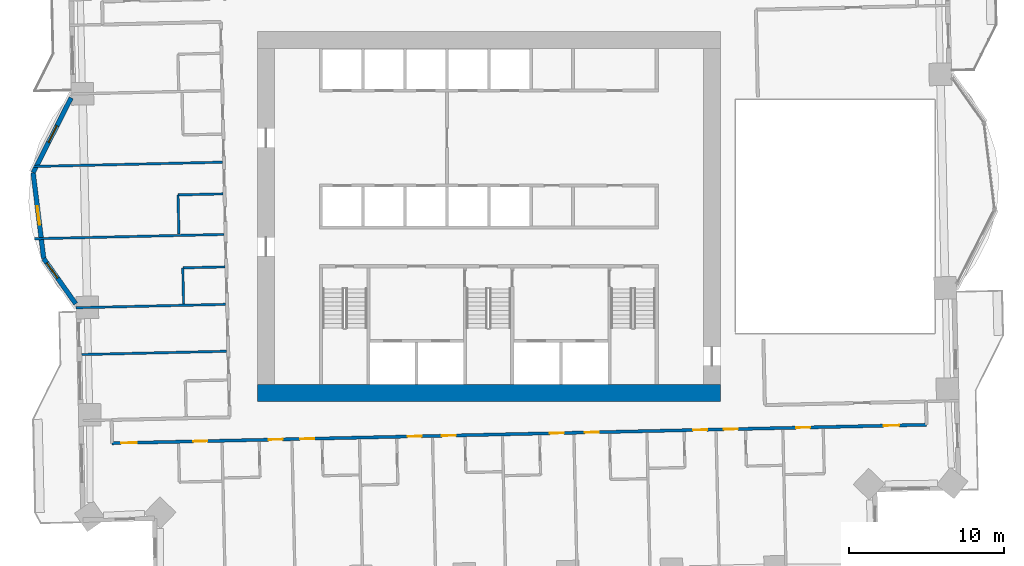
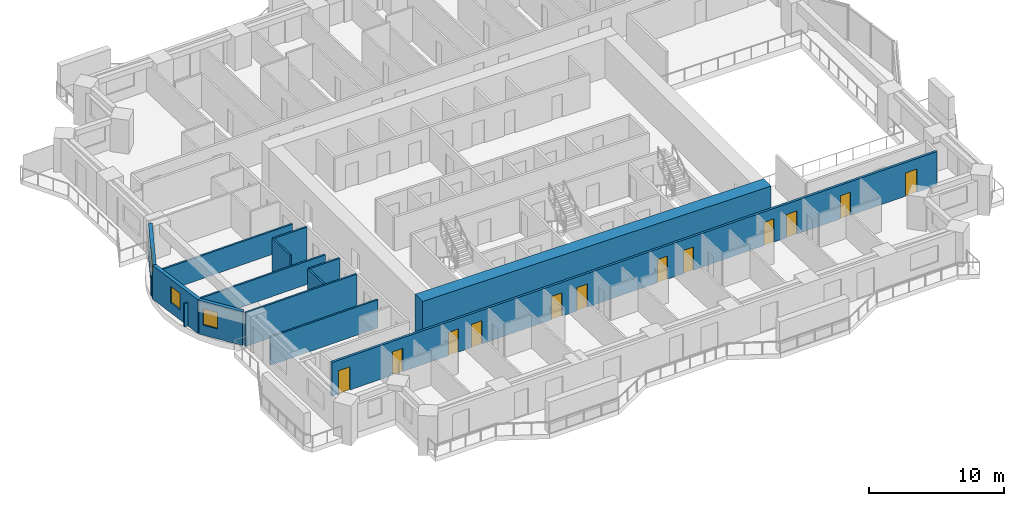
# One storey, part 7 of 17: 13 walls, 12 doors, 3 windows, 15 openings.
"""IFC4 building model written with IfcOpenShell, lengths in metres."""

from ifc_helpers import new_model, si_unit, direction, frame, frame_2d, origin, place, context, subcontext, project, spatial, rectangle, extrude, material, layer, layer_set, type_object, element, fill, save


model = new_model("IFC4")

# Units and contexts
model_context = context("Model", 3, precision=1e-05, world=origin(), true_north=direction((0.0, 1.0)))
body_context = subcontext(model_context, "Body", "Model", "MODEL_VIEW")
ifc_project = project(units=[si_unit("LENGTHUNIT", "METRE"), si_unit("AREAUNIT", "SQUARE_METRE"), si_unit("VOLUMEUNIT", "CUBIC_METRE"), si_unit("PLANEANGLEUNIT", "RADIAN"), si_unit("MASSUNIT", "GRAM", prefix="KILO")], contexts=[model_context])

# Site, building, storey
site_placement = place(None, origin())
site = spatial("IfcSite", under=ifc_project, at=site_placement, CompositionType="ELEMENT")
building_placement = place(site_placement, origin())
building = spatial("IfcBuilding", under=site, at=building_placement, Name="Mangrove Gate Tower", CompositionType="ELEMENT")
storey_placement = place(building_placement, frame((0.0, 0.0, 82.89990234375)))
storey = spatial("IfcBuildingStorey", under=building, at=storey_placement, Name="L20", CompositionType="ELEMENT", Elevation=82.89990234375)

# Wall
ifc_material_1 = material(Name="Concrete C70/85", Category="concrete")
ifc_layer_1 = layer(ifc_material_1, 1.10009765625)
ifc_layer_set_1 = layer_set([ifc_layer_1], Name="Core wall 1100 C70/85")
wall_type_1 = type_object("IfcWallType", Name="Core wall 1100 C70/85", PredefinedType="SHEAR", material=ifc_layer_set_1)
wall_1_placement = place(storey_placement, frame((-14.89990234375, -11.35009765625, 0.0), z_axis=(0.0, 0.0, 1.0), x_axis=(1.0, 0.0, 0.0)))
element("IfcWall", 1, at=wall_1_placement, inside=storey, type_object=wall_type_1, Name="WALL-L20-CORE-1", PredefinedType="SHEAR", context=body_context, shape_type="SweptSolid", body=[
    extrude(rectangle(XDim=29.7998046875, YDim=1.10009765625, at=frame_2d((14.89990234375, 0.0))), origin(), (0.0, 0.0, 1.0), 3.60009765625),
])

# Wall, openings, doors
ifc_material_2 = material(Name="Gypsum board on steel stud, EI 60", Category="steel")
ifc_layer_2 = layer(ifc_material_2, 0.199951171875)
ifc_layer_set_2 = layer_set([ifc_layer_2], Name="Corridor wall EI 60")
wall_type_2 = type_object("IfcWallType", Name="Corridor wall EI 60", PredefinedType="PARTITIONING", material=ifc_layer_set_2)
wall_2_placement = place(storey_placement, frame((-24.2490234375, -14.591064453125, 0.0), z_axis=(0.0, 0.0, 1.0), x_axis=(0.999742227308, 0.022704161211, 0.0)))
wall_2 = element("IfcWall", 2, at=wall_2_placement, inside=storey, type_object=wall_type_2, Name="WALL-L20-030", PredefinedType="PARTITIONING", context=body_context, shape_type="SweptSolid", body=[
    extrude(rectangle(XDim=52.42138671875, YDim=0.199951171875, at=frame_2d((26.210693359375, 0.0))), origin(), (0.0, 0.0, 1.0), 3.050048828125),
])
opening_1_placement = place(wall_2_placement, frame((0.574951171875, 0.0, 0.0)))
opening_1 = element("IfcOpeningElement", 3, at=opening_1_placement, cuts=wall_2, Name="Opening AD", PredefinedType="OPENING", context=body_context, shape_type="SweptSolid", body=[
    extrude(rectangle(XDim=1.0, YDim=2.10009765625, at=frame_2d((0.5, 1.050048828125))), frame((0.0, 0.10986328125, 0.0), z_axis=(0.0, -1.0, 0.0), x_axis=(1.0, 0.0, 0.0)), (0.0, 0.0, 1.0), 0.219970703125),
])
opening_2_placement = place(wall_2_placement, frame((5.22509765625, 0.0, 0.0)))
opening_2 = element("IfcOpeningElement", 4, at=opening_2_placement, cuts=wall_2, Name="Opening SD", PredefinedType="OPENING", context=body_context, shape_type="SweptSolid", body=[
    extrude(rectangle(XDim=0.89990234375, YDim=2.10009765625, at=frame_2d((0.449951171875, 1.050048828125))), frame((0.0, 0.10986328125, 0.0), z_axis=(0.0, -1.0, 0.0), x_axis=(1.0, 0.0, 0.0)), (0.0, 0.0, 1.0), 0.219970703125),
])
opening_3_placement = place(wall_2_placement, frame((10.074951171875, 0.0, 0.0)))
opening_3 = element("IfcOpeningElement", 5, at=opening_3_placement, cuts=wall_2, Name="Opening BD", PredefinedType="OPENING", context=body_context, shape_type="SweptSolid", body=[
    extrude(rectangle(XDim=0.89990234375, YDim=2.10009765625, at=frame_2d((0.449951171875, 1.050048828125))), frame((0.0, 0.10986328125, 0.0), z_axis=(0.0, -1.0, 0.0), x_axis=(1.0, 0.0, 0.0)), (0.0, 0.0, 1.0), 0.219970703125),
])
opening_4_placement = place(wall_2_placement, frame((12.10009765625, 0.0, 0.0)))
opening_4 = element("IfcOpeningElement", 6, at=opening_4_placement, cuts=wall_2, Name="Opening BD", PredefinedType="OPENING", context=body_context, shape_type="SweptSolid", body=[
    extrude(rectangle(XDim=0.89990234375, YDim=2.10009765625, at=frame_2d((0.449951171875, 1.050048828125))), frame((0.0, 0.10986328125, 0.0), z_axis=(0.0, -1.0, 0.0), x_axis=(1.0, 0.0, 0.0)), (0.0, 0.0, 1.0), 0.219970703125),
])
opening_5_placement = place(wall_2_placement, frame((19.02490234375, 0.0, 0.0)))
opening_5 = element("IfcOpeningElement", 7, at=opening_5_placement, cuts=wall_2, Name="Opening BD", PredefinedType="OPENING", context=body_context, shape_type="SweptSolid", body=[
    extrude(rectangle(XDim=0.89990234375, YDim=2.10009765625, at=frame_2d((0.449951171875, 1.050048828125))), frame((0.0, 0.10986328125, 0.0), z_axis=(0.0, -1.0, 0.0), x_axis=(1.0, 0.0, 0.0)), (0.0, 0.0, 1.0), 0.219970703125),
])
opening_6_placement = place(wall_2_placement, frame((21.22509765625, 0.0, 0.0)))
opening_6 = element("IfcOpeningElement", 8, at=opening_6_placement, cuts=wall_2, Name="Opening BD", PredefinedType="OPENING", context=body_context, shape_type="SweptSolid", body=[
    extrude(rectangle(XDim=0.89990234375, YDim=2.10009765625, at=frame_2d((0.449951171875, 1.050048828125))), frame((0.0, 0.10986328125, 0.0), z_axis=(0.0, -1.0, 0.0), x_axis=(1.0, 0.0, 0.0)), (0.0, 0.0, 1.0), 0.219970703125),
])
opening_7_placement = place(wall_2_placement, frame((28.175048828125, 0.0, 0.0)))
opening_7 = element("IfcOpeningElement", 9, at=opening_7_placement, cuts=wall_2, Name="Opening BD", PredefinedType="OPENING", context=body_context, shape_type="SweptSolid", body=[
    extrude(rectangle(XDim=0.89990234375, YDim=2.10009765625, at=frame_2d((0.449951171875, 1.050048828125))), frame((0.0, 0.10986328125, 0.0), z_axis=(0.0, -1.0, 0.0), x_axis=(1.0, 0.0, 0.0)), (0.0, 0.0, 1.0), 0.219970703125),
])
opening_8_placement = place(wall_2_placement, frame((30.425048828125, 0.0, 0.0)))
opening_8 = element("IfcOpeningElement", 10, at=opening_8_placement, cuts=wall_2, Name="Opening BD", PredefinedType="OPENING", context=body_context, shape_type="SweptSolid", body=[
    extrude(rectangle(XDim=0.89990234375, YDim=2.10009765625, at=frame_2d((0.449951171875, 1.050048828125))), frame((0.0, 0.10986328125, 0.0), z_axis=(0.0, -1.0, 0.0), x_axis=(1.0, 0.0, 0.0)), (0.0, 0.0, 1.0), 0.219970703125),
])
opening_9_placement = place(wall_2_placement, frame((37.39990234375, 0.0, 0.0)))
opening_9 = element("IfcOpeningElement", 11, at=opening_9_placement, cuts=wall_2, Name="Opening BD", PredefinedType="OPENING", context=body_context, shape_type="SweptSolid", body=[
    extrude(rectangle(XDim=0.89990234375, YDim=2.10009765625, at=frame_2d((0.449951171875, 1.050048828125))), frame((0.0, 0.10986328125, 0.0), z_axis=(0.0, -1.0, 0.0), x_axis=(1.0, 0.0, 0.0)), (0.0, 0.0, 1.0), 0.219970703125),
])
opening_10_placement = place(wall_2_placement, frame((39.375, 0.0, 0.0)))
opening_10 = element("IfcOpeningElement", 12, at=opening_10_placement, cuts=wall_2, Name="Opening BD", PredefinedType="OPENING", context=body_context, shape_type="SweptSolid", body=[
    extrude(rectangle(XDim=0.89990234375, YDim=2.10009765625, at=frame_2d((0.449951171875, 1.050048828125))), frame((0.0, 0.10986328125, 0.0), z_axis=(0.0, -1.0, 0.0), x_axis=(1.0, 0.0, 0.0)), (0.0, 0.0, 1.0), 0.219970703125),
])
opening_11_placement = place(wall_2_placement, frame((49.660888671875, 0.0, 0.0)))
opening_11 = element("IfcOpeningElement", 13, at=opening_11_placement, cuts=wall_2, Name="Opening AD", PredefinedType="OPENING", context=body_context, shape_type="SweptSolid", body=[
    extrude(rectangle(XDim=1.0, YDim=2.10009765625, at=frame_2d((0.5, 1.050048828125))), frame((0.0, 0.10986328125, 0.0), z_axis=(0.0, -1.0, 0.0), x_axis=(1.0, 0.0, 0.0)), (0.0, 0.0, 1.0), 0.219970703125),
])
opening_12_placement = place(wall_2_placement, frame((44.02490234375, 0.0, 0.0)))
opening_12 = element("IfcOpeningElement", 14, at=opening_12_placement, cuts=wall_2, Name="Opening SD", PredefinedType="OPENING", context=body_context, shape_type="SweptSolid", body=[
    extrude(rectangle(XDim=0.89990234375, YDim=2.10009765625, at=frame_2d((0.449951171875, 1.050048828125))), frame((0.0, 0.10986328125, 0.0), z_axis=(0.0, -1.0, 0.0), x_axis=(1.0, 0.0, 0.0)), (0.0, 0.0, 1.0), 0.219970703125),
])
ifc_material_3 = material(Name="Timber door leaf", Category="wood")
door_type_1 = type_object("IfcDoorType", Name="Amenity door 1000", OperationType="SINGLE_SWING_LEFT", PredefinedType="DOOR", material=ifc_material_3)
door_1_placement = place(opening_1_placement, origin())
door_1 = element("IfcDoor", 15, at=door_1_placement, inside=storey, type_object=door_type_1, Name="DOOR-L20-STU-c1a", OperationType="SINGLE_SWING_LEFT", OverallHeight=2.10009765625, OverallWidth=1.0, PredefinedType="DOOR", context=body_context, shape_type="SweptSolid", body=[
    extrude(rectangle(XDim=1.0, YDim=2.10009765625, at=frame_2d((0.5, 1.050048828125))), frame((0.0, 0.02490234375, 0.0), z_axis=(0.0, -1.0, 0.0), x_axis=(1.0, 0.0, 0.0)), (0.0, 0.0, 1.0), 0.050048828125),
])
fill(opening_1, door_1)
door_2_placement = place(opening_11_placement, origin())
door_2 = element("IfcDoor", 16, at=door_2_placement, inside=storey, type_object=door_type_1, Name="DOOR-L20-GAM-c3a", OperationType="SINGLE_SWING_RIGHT", OverallHeight=2.10009765625, OverallWidth=1.0, PredefinedType="DOOR", context=body_context, shape_type="SweptSolid", body=[
    extrude(rectangle(XDim=1.0, YDim=2.10009765625, at=frame_2d((0.5, 1.050048828125))), frame((0.0, 0.02490234375, 0.0), z_axis=(0.0, -1.0, 0.0), x_axis=(1.0, 0.0, 0.0)), (0.0, 0.0, 1.0), 0.050048828125),
])
fill(opening_11, door_2)
ifc_material_4 = material(Name="Timber door leaf", Category="wood")
door_type_2 = type_object("IfcDoorType", Name="Bedroom door 900", OperationType="SINGLE_SWING_LEFT", PredefinedType="DOOR", material=ifc_material_4)
door_3_placement = place(opening_3_placement, origin())
door_3 = element("IfcDoor", 17, at=door_3_placement, inside=storey, type_object=door_type_2, Name="DOOR-L20-BED-c101", OperationType="SINGLE_SWING_LEFT", OverallHeight=2.10009765625, OverallWidth=0.89990234375, PredefinedType="DOOR", context=body_context, shape_type="SweptSolid", body=[
    extrude(rectangle(XDim=0.89990234375, YDim=2.10009765625, at=frame_2d((0.449951171875, 1.050048828125))), frame((0.0, 0.02490234375, 0.0), z_axis=(0.0, -1.0, 0.0), x_axis=(1.0, 0.0, 0.0)), (0.0, 0.0, 1.0), 0.050048828125),
])
fill(opening_3, door_3)
door_4_placement = place(opening_4_placement, origin())
door_4 = element("IfcDoor", 18, at=door_4_placement, inside=storey, type_object=door_type_2, Name="DOOR-L20-BED-c102", OperationType="SINGLE_SWING_RIGHT", OverallHeight=2.10009765625, OverallWidth=0.89990234375, PredefinedType="DOOR", context=body_context, shape_type="SweptSolid", body=[
    extrude(rectangle(XDim=0.89990234375, YDim=2.10009765625, at=frame_2d((0.449951171875, 1.050048828125))), frame((0.0, 0.02490234375, 0.0), z_axis=(0.0, -1.0, 0.0), x_axis=(1.0, 0.0, 0.0)), (0.0, 0.0, 1.0), 0.050048828125),
])
fill(opening_4, door_4)
door_5_placement = place(opening_5_placement, origin())
door_5 = element("IfcDoor", 19, at=door_5_placement, inside=storey, type_object=door_type_2, Name="DOOR-L20-BED-c103", OperationType="SINGLE_SWING_LEFT", OverallHeight=2.10009765625, OverallWidth=0.89990234375, PredefinedType="DOOR", context=body_context, shape_type="SweptSolid", body=[
    extrude(rectangle(XDim=0.89990234375, YDim=2.10009765625, at=frame_2d((0.449951171875, 1.050048828125))), frame((0.0, 0.02490234375, 0.0), z_axis=(0.0, -1.0, 0.0), x_axis=(1.0, 0.0, 0.0)), (0.0, 0.0, 1.0), 0.050048828125),
])
fill(opening_5, door_5)
door_6_placement = place(opening_6_placement, origin())
door_6 = element("IfcDoor", 20, at=door_6_placement, inside=storey, type_object=door_type_2, Name="DOOR-L20-BED-c104", OperationType="SINGLE_SWING_RIGHT", OverallHeight=2.10009765625, OverallWidth=0.89990234375, PredefinedType="DOOR", context=body_context, shape_type="SweptSolid", body=[
    extrude(rectangle(XDim=0.89990234375, YDim=2.10009765625, at=frame_2d((0.449951171875, 1.050048828125))), frame((0.0, 0.02490234375, 0.0), z_axis=(0.0, -1.0, 0.0), x_axis=(1.0, 0.0, 0.0)), (0.0, 0.0, 1.0), 0.050048828125),
])
fill(opening_6, door_6)
door_7_placement = place(opening_7_placement, origin())
door_7 = element("IfcDoor", 21, at=door_7_placement, inside=storey, type_object=door_type_2, Name="DOOR-L20-BED-c205", OperationType="SINGLE_SWING_LEFT", OverallHeight=2.10009765625, OverallWidth=0.89990234375, PredefinedType="DOOR", context=body_context, shape_type="SweptSolid", body=[
    extrude(rectangle(XDim=0.89990234375, YDim=2.10009765625, at=frame_2d((0.449951171875, 1.050048828125))), frame((0.0, 0.02490234375, 0.0), z_axis=(0.0, -1.0, 0.0), x_axis=(1.0, 0.0, 0.0)), (0.0, 0.0, 1.0), 0.050048828125),
])
fill(opening_7, door_7)
door_8_placement = place(opening_8_placement, origin())
door_8 = element("IfcDoor", 22, at=door_8_placement, inside=storey, type_object=door_type_2, Name="DOOR-L20-BED-c206", OperationType="SINGLE_SWING_RIGHT", OverallHeight=2.10009765625, OverallWidth=0.89990234375, PredefinedType="DOOR", context=body_context, shape_type="SweptSolid", body=[
    extrude(rectangle(XDim=0.89990234375, YDim=2.10009765625, at=frame_2d((0.449951171875, 1.050048828125))), frame((0.0, 0.02490234375, 0.0), z_axis=(0.0, -1.0, 0.0), x_axis=(1.0, 0.0, 0.0)), (0.0, 0.0, 1.0), 0.050048828125),
])
fill(opening_8, door_8)
door_9_placement = place(opening_9_placement, origin())
door_9 = element("IfcDoor", 23, at=door_9_placement, inside=storey, type_object=door_type_2, Name="DOOR-L20-BED-c207", OperationType="SINGLE_SWING_LEFT", OverallHeight=2.10009765625, OverallWidth=0.89990234375, PredefinedType="DOOR", context=body_context, shape_type="SweptSolid", body=[
    extrude(rectangle(XDim=0.89990234375, YDim=2.10009765625, at=frame_2d((0.449951171875, 1.050048828125))), frame((0.0, 0.02490234375, 0.0), z_axis=(0.0, -1.0, 0.0), x_axis=(1.0, 0.0, 0.0)), (0.0, 0.0, 1.0), 0.050048828125),
])
fill(opening_9, door_9)
door_10_placement = place(opening_10_placement, origin())
door_10 = element("IfcDoor", 24, at=door_10_placement, inside=storey, type_object=door_type_2, Name="DOOR-L20-BED-c308", OperationType="SINGLE_SWING_RIGHT", OverallHeight=2.10009765625, OverallWidth=0.89990234375, PredefinedType="DOOR", context=body_context, shape_type="SweptSolid", body=[
    extrude(rectangle(XDim=0.89990234375, YDim=2.10009765625, at=frame_2d((0.449951171875, 1.050048828125))), frame((0.0, 0.02490234375, 0.0), z_axis=(0.0, -1.0, 0.0), x_axis=(1.0, 0.0, 0.0)), (0.0, 0.0, 1.0), 0.050048828125),
])
fill(opening_10, door_10)
ifc_material_5 = material(Name="Timber door leaf", Category="wood")
door_type_3 = type_object("IfcDoorType", Name="Service room door 900", OperationType="SINGLE_SWING_LEFT", PredefinedType="DOOR", material=ifc_material_5)
door_11_placement = place(opening_2_placement, origin())
door_11 = element("IfcDoor", 25, at=door_11_placement, inside=storey, type_object=door_type_3, Name="DOOR-L20-LDY-c1a", OperationType="SINGLE_SWING_LEFT", OverallHeight=2.10009765625, OverallWidth=0.89990234375, PredefinedType="DOOR", context=body_context, shape_type="SweptSolid", body=[
    extrude(rectangle(XDim=0.89990234375, YDim=2.10009765625, at=frame_2d((0.449951171875, 1.050048828125))), frame((0.0, 0.02490234375, 0.0), z_axis=(0.0, -1.0, 0.0), x_axis=(1.0, 0.0, 0.0)), (0.0, 0.0, 1.0), 0.050048828125),
])
fill(opening_2, door_11)
door_12_placement = place(opening_12_placement, origin())
door_12 = element("IfcDoor", 26, at=door_12_placement, inside=storey, type_object=door_type_3, Name="DOOR-L20-AWC-c3a", OperationType="SINGLE_SWING_RIGHT", OverallHeight=2.10009765625, OverallWidth=0.89990234375, PredefinedType="DOOR", context=body_context, shape_type="SweptSolid", body=[
    extrude(rectangle(XDim=0.89990234375, YDim=2.10009765625, at=frame_2d((0.449951171875, 1.050048828125))), frame((0.0, 0.02490234375, 0.0), z_axis=(0.0, -1.0, 0.0), x_axis=(1.0, 0.0, 0.0)), (0.0, 0.0, 1.0), 0.050048828125),
])
fill(opening_12, door_12)

# Wall, opening, window
ifc_material_6 = material(Name="Limestone", Category="masonry")
ifc_layer_3 = layer(ifc_material_6, 0.0400390625, Name="Limestone cladding")
ifc_material_7 = material(Name="Ventilated air gap")
ifc_layer_4 = layer(ifc_material_7, 0.0400390625, Name="Ventilated cavity")
ifc_material_8 = material(Name="Mineral wool insulation")
ifc_layer_5 = layer(ifc_material_8, 0.06005859375, Name="Insulation")
ifc_material_9 = material(Name="Breather membrane")
ifc_layer_6 = layer(ifc_material_9, 0.001953125, Name="Breather membrane")
ifc_material_10 = material(Name="Concrete C20/25 blockwork", Category="masonry")
ifc_layer_7 = layer(ifc_material_10, 0.14990234375, Name="Blockwork backing wall")
ifc_material_11 = material(Name="Gypsum plaster")
ifc_layer_8 = layer(ifc_material_11, 0.008056640625, Name="Internal plaster")
ifc_layer_set_3 = layer_set([ifc_layer_3, ifc_layer_4, ifc_layer_5, ifc_layer_6, ifc_layer_7, ifc_layer_8], Name="External wall 300 limestone cladding")
wall_type_3 = type_object("IfcWallType", Name="External wall 300 limestone cladding", PredefinedType="SOLIDWALL", material=ifc_layer_set_3)
wall_3_placement = place(storey_placement, frame((-26.888916015625, 7.635009765625, 0.0), z_axis=(0.0, 0.0, 1.0), x_axis=(-0.452633159278, -0.891696822425, 0.0)))
wall_3 = element("IfcWall", 27, at=wall_3_placement, inside=storey, type_object=wall_type_3, Name="WALL-L20-W9f1", PredefinedType="SOLIDWALL", context=body_context, shape_type="SweptSolid", body=[
    extrude(rectangle(XDim=5.3974609375, YDim=0.300048828125, at=frame_2d((2.69873046875, 0.0))), origin(), (0.0, 0.0, 1.0), 3.050048828125),
])
opening_13_placement = place(wall_3_placement, frame((2.007080078125, 0.0, 0.89990234375)))
opening_13 = element("IfcOpeningElement", 28, at=opening_13_placement, cuts=wall_3, Name="Opening W1", PredefinedType="OPENING", context=body_context, shape_type="SweptSolid", body=[
    extrude(rectangle(XDim=1.199951171875, YDim=1.5, at=frame_2d((0.60009765625, 0.75))), frame((0.0, 0.159912109375, 0.0), z_axis=(0.0, -1.0, 0.0), x_axis=(1.0, 0.0, 0.0)), (0.0, 0.0, 1.0), 0.320068359375),
])
ifc_material_12 = material(Name="Aluminium frame with double-glazed low-e glass", Category="aluminium")
window_type = type_object("IfcWindowType", Name="Side lite 1200x1500", PartitioningType="SINGLE_PANEL", PredefinedType="WINDOW", material=ifc_material_12)
window_1_placement = place(opening_13_placement, origin())
window_1 = element("IfcWindow", 29, at=window_1_placement, inside=storey, type_object=window_type, Name="WIN-L20-W9f1", OverallHeight=1.5, OverallWidth=1.199951171875, PartitioningType="SINGLE_PANEL", PredefinedType="WINDOW", context=body_context, shape_type="SweptSolid", body=[
    extrude(rectangle(XDim=1.199951171875, YDim=1.5, at=frame_2d((0.60009765625, 0.75))), frame((0.0, 0.030029296875, 0.0), z_axis=(0.0, -1.0, 0.0), x_axis=(1.0, 0.0, 0.0)), (0.0, 0.0, 1.0), 0.06005859375),
])
fill(opening_13, window_1)

wall_4_placement = place(storey_placement, frame((-29.33203125, 2.822021484375, 0.0), z_axis=(0.0, 0.0, 1.0), x_axis=(0.122206978992, -0.992504636909, 0.0)))
wall_4 = element("IfcWall", 30, at=wall_4_placement, inside=storey, type_object=wall_type_3, Name="WALL-L20-W9f2", PredefinedType="SOLIDWALL", context=body_context, shape_type="SweptSolid", body=[
    extrude(rectangle(XDim=5.57373046875, YDim=0.300048828125, at=frame_2d((2.786865234375, 0.0))), origin(), (0.0, 0.0, 1.0), 3.050048828125),
])
opening_14_placement = place(wall_4_placement, frame((2.18701171875, 0.0, 0.89990234375)))
opening_14 = element("IfcOpeningElement", 31, at=opening_14_placement, cuts=wall_4, Name="Opening W1", PredefinedType="OPENING", context=body_context, shape_type="SweptSolid", body=[
    extrude(rectangle(XDim=1.199951171875, YDim=1.5, at=frame_2d((0.60009765625, 0.75))), frame((0.0, 0.159912109375, 0.0), z_axis=(0.0, -1.0, 0.0), x_axis=(1.0, 0.0, 0.0)), (0.0, 0.0, 1.0), 0.320068359375),
])
window_2_placement = place(opening_14_placement, origin())
window_2 = element("IfcWindow", 32, at=window_2_placement, inside=storey, type_object=window_type, Name="WIN-L20-W9f2", OverallHeight=1.5, OverallWidth=1.199951171875, PartitioningType="SINGLE_PANEL", PredefinedType="WINDOW", context=body_context, shape_type="SweptSolid", body=[
    extrude(rectangle(XDim=1.199951171875, YDim=1.5, at=frame_2d((0.60009765625, 0.75))), frame((0.0, 0.030029296875, 0.0), z_axis=(0.0, -1.0, 0.0), x_axis=(1.0, 0.0, 0.0)), (0.0, 0.0, 1.0), 0.06005859375),
])
fill(opening_14, window_2)

wall_5_placement = place(storey_placement, frame((-28.65087890625, -2.7099609375, 0.0), z_axis=(0.0, 0.0, 1.0), x_axis=(0.577964171051, -0.816062140392, 0.0)))
wall_5 = element("IfcWall", 33, at=wall_5_placement, inside=storey, type_object=wall_type_3, Name="WALL-L20-W9f3", PredefinedType="SOLIDWALL", context=body_context, shape_type="SweptSolid", body=[
    extrude(rectangle(XDim=3.5673828125, YDim=0.300048828125, at=frame_2d((1.78369140625, 0.0))), origin(), (0.0, 0.0, 1.0), 3.050048828125),
])
opening_15_placement = place(wall_5_placement, frame((0.3369140625, 0.0, 0.89990234375)))
opening_15 = element("IfcOpeningElement", 34, at=opening_15_placement, cuts=wall_5, Name="Opening W1", PredefinedType="OPENING", context=body_context, shape_type="SweptSolid", body=[
    extrude(rectangle(XDim=1.199951171875, YDim=1.5, at=frame_2d((0.60009765625, 0.75))), frame((0.0, 0.159912109375, 0.0), z_axis=(0.0, -1.0, 0.0), x_axis=(1.0, 0.0, 0.0)), (0.0, 0.0, 1.0), 0.320068359375),
])
window_3_placement = place(opening_15_placement, origin())
window_3 = element("IfcWindow", 35, at=window_3_placement, inside=storey, type_object=window_type, Name="WIN-L20-W9f3", OverallHeight=1.5, OverallWidth=1.199951171875, PartitioningType="SINGLE_PANEL", PredefinedType="WINDOW", context=body_context, shape_type="SweptSolid", body=[
    extrude(rectangle(XDim=1.199951171875, YDim=1.5, at=frame_2d((0.60009765625, 0.75))), frame((0.0, 0.030029296875, 0.0), z_axis=(0.0, -1.0, 0.0), x_axis=(1.0, 0.0, 0.0)), (0.0, 0.0, 1.0), 0.06005859375),
])
fill(opening_15, window_3)

# Walls
ifc_material_13 = material(Name="Gypsum board on steel stud, EI 60", Category="steel")
ifc_layer_9 = layer(ifc_material_13, 0.14990234375)
ifc_layer_set_4 = layer_set([ifc_layer_9], Name="Party wall 150 EI 60")
wall_type_4 = type_object("IfcWallType", Name="Party wall 150 EI 60", PredefinedType="PARTITIONING", material=ifc_layer_set_4)
wall_6_placement = place(storey_placement, frame((-26.2041015625, -8.884033203125, 0.0), z_axis=(0.0, 0.0, 1.0), x_axis=(0.999742051634, 0.022711895436, 0.0)))
element("IfcWall", 36, at=wall_6_placement, inside=storey, type_object=wall_type_4, Name="WALL-L20-041", PredefinedType="PARTITIONING", context=body_context, shape_type="SweptSolid", body=[
    extrude(rectangle(XDim=9.33056640625, YDim=0.14990234375, at=frame_2d((4.665283203125, 0.0))), origin(), (0.0, 0.0, 1.0), 2.550048828125),
])
wall_7_placement = place(storey_placement, frame((-26.572998046875, -5.87109375, 0.0), z_axis=(0.0, 0.0, 1.0), x_axis=(0.999743768709, 0.022636186244, 0.0)))
element("IfcWall", 37, at=wall_7_placement, inside=storey, type_object=wall_type_4, Name="WALL-L20-042", PredefinedType="PARTITIONING", context=body_context, shape_type="SweptSolid", body=[
    extrude(rectangle(XDim=9.63134765625, YDim=0.14990234375, at=frame_2d((4.815673828125, 0.0))), origin(), (0.0, 0.0, 1.0), 3.050048828125),
])
wall_8_placement = place(storey_placement, frame((-19.64990234375, -5.634033203125, 0.0), z_axis=(0.0, 0.0, 1.0), x_axis=(-0.02279059109, 0.999740260747, 0.0)))
element("IfcWall", 38, at=wall_8_placement, inside=storey, type_object=wall_type_4, Name="WALL-L20-043", PredefinedType="PARTITIONING", context=body_context, shape_type="SweptSolid", body=[
    extrude(rectangle(XDim=2.324462890625, YDim=0.14990234375, at=frame_2d((1.162109375, 0.0))), origin(), (0.0, 0.0, 1.0), 3.050048828125),
])
wall_9_placement = place(storey_placement, frame((-19.697998046875, -3.303955078125, 0.0), z_axis=(0.0, 0.0, 1.0), x_axis=(0.999744396973, 0.02260842146, 0.0)))
element("IfcWall", 39, at=wall_9_placement, inside=storey, type_object=wall_type_4, Name="WALL-L20-044", PredefinedType="PARTITIONING", context=body_context, shape_type="SweptSolid", body=[
    extrude(rectangle(XDim=2.69970703125, YDim=0.14990234375, at=frame_2d((1.349853515625, 0.0))), origin(), (0.0, 0.0, 1.0), 3.050048828125),
])
wall_10_placement = place(storey_placement, frame((-29.237060546875, -1.429931640625, 0.0), z_axis=(0.0, 0.0, 1.0), x_axis=(0.999744053012, 0.022623626312, 0.0)))
element("IfcWall", 40, at=wall_10_placement, inside=storey, type_object=wall_type_4, Name="WALL-L20-045", PredefinedType="PARTITIONING", context=body_context, shape_type="SweptSolid", body=[
    extrude(rectangle(XDim=12.1943359375, YDim=0.14990234375, at=frame_2d((6.09716796875, 0.0))), origin(), (0.0, 0.0, 1.0), 2.10009765625),
])
wall_11_placement = place(storey_placement, frame((-19.951904296875, -1.139892578125, 0.0), z_axis=(0.0, 0.0, 1.0), x_axis=(-0.023006865507, 0.999735307039, 0.0)))
element("IfcWall", 41, at=wall_11_placement, inside=storey, type_object=wall_type_4, Name="WALL-L20-046", PredefinedType="PARTITIONING", context=body_context, shape_type="SweptSolid", body=[
    extrude(rectangle(XDim=2.525634765625, YDim=0.14990234375, at=frame_2d((1.2626953125, 0.0))), origin(), (0.0, 0.0, 1.0), 3.050048828125),
])
wall_12_placement = place(storey_placement, frame((-20.0048828125, 1.389892578125, 0.0), z_axis=(0.0, 0.0, 1.0), x_axis=(0.999739832865, 0.022809352981, 0.0)))
element("IfcWall", 42, at=wall_12_placement, inside=storey, type_object=wall_type_4, Name="WALL-L20-047", PredefinedType="PARTITIONING", context=body_context, shape_type="SweptSolid", body=[
    extrude(rectangle(XDim=2.900634765625, YDim=0.14990234375, at=frame_2d((1.4501953125, 0.0))), origin(), (0.0, 0.0, 1.0), 3.050048828125),
])
wall_13_placement = place(storey_placement, frame((-29.3740234375, 3.218017578125, 0.0), z_axis=(0.0, 0.0, 1.0), x_axis=(0.99974308155, 0.022666514803, 0.0)))
element("IfcWall", 43, at=wall_13_placement, inside=storey, type_object=wall_type_4, Name="WALL-L20-048", PredefinedType="PARTITIONING", context=body_context, shape_type="SweptSolid", body=[
    extrude(rectangle(XDim=12.22509765625, YDim=0.14990234375, at=frame_2d((6.112548828125, 0.0))), origin(), (0.0, 0.0, 1.0), 2.10009765625),
])

save(model, "model.ifc")
